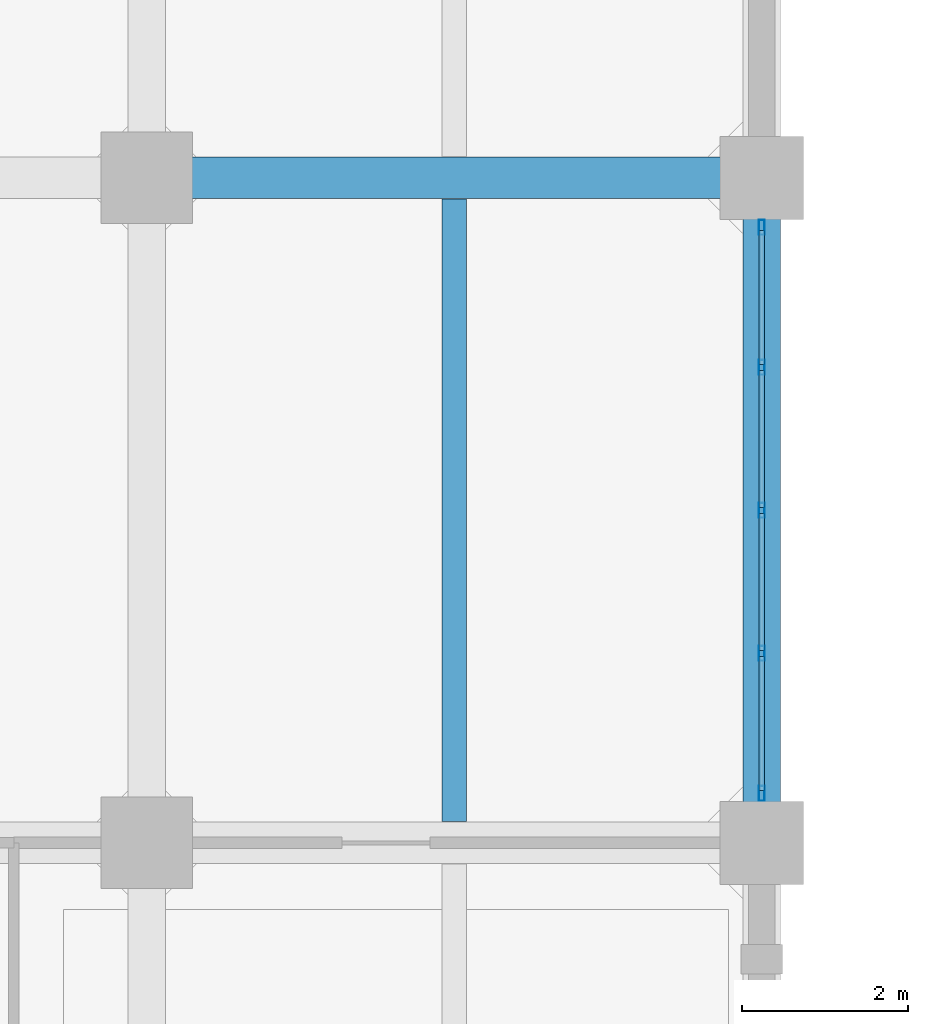
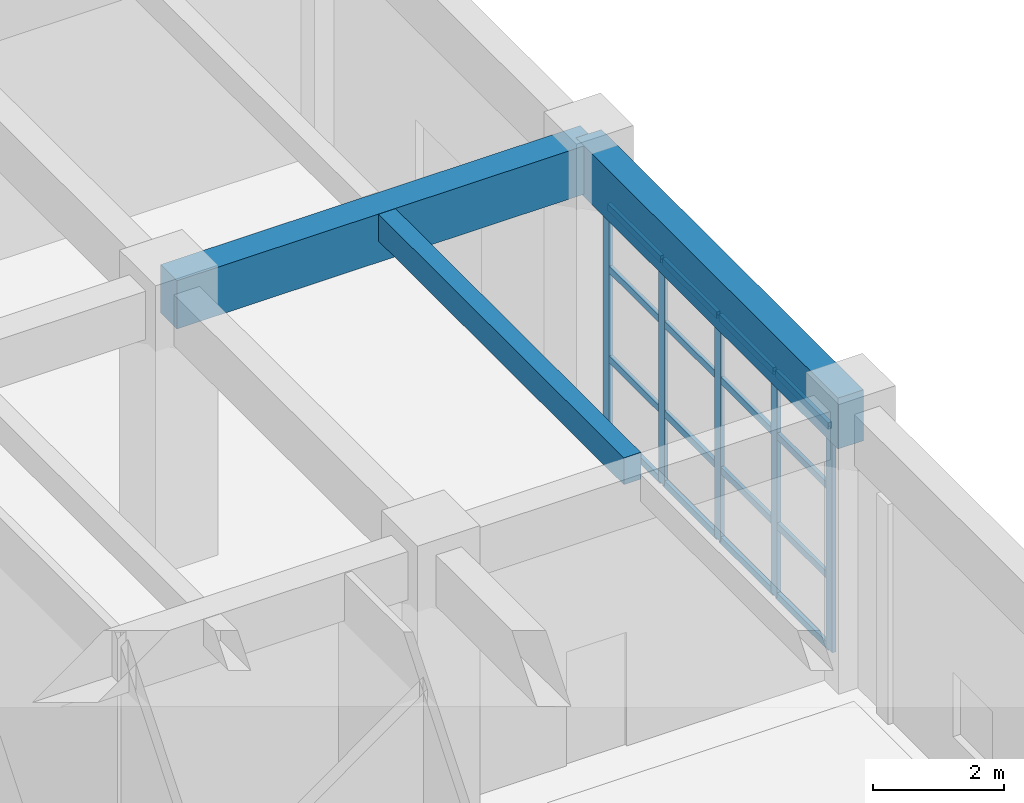
# One storey, part 56 of 90: 21 members, 3 beams, 1 element without a shape of its own.
"""IFC4 building model written with IfcOpenShell, lengths in metres."""

from ifc_helpers import new_model, si_unit, direction, frame, origin, origin_2d, place, context, subcontext, project, spatial, rectangle, hollow_rectangle, extrude, material, layer, layer_set, material_profile, profile_set, type_object, element, aggregate, save


model = new_model("IFC4")

# Units and contexts
model_context = context("Model", 3, precision=1e-05, world=origin(), true_north=direction((0.0, 1.0)))
body_context = subcontext(model_context, "Body", "Model", "MODEL_VIEW")
ifc_project = project(units=[si_unit("LENGTHUNIT", "METRE"), si_unit("AREAUNIT", "SQUARE_METRE"), si_unit("VOLUMEUNIT", "CUBIC_METRE"), si_unit("PLANEANGLEUNIT", "RADIAN"), si_unit("MASSUNIT", "GRAM", prefix="KILO")], contexts=[model_context])

# Site, building, storey
site_placement = place(None, origin())
site = spatial("IfcSite", under=ifc_project, at=site_placement, CompositionType="ELEMENT")
building_placement = place(site_placement, origin())
building = spatial("IfcBuilding", under=site, at=building_placement, Name="Canggui Botanical Conservatory", CompositionType="ELEMENT")
storey_placement = place(building_placement, origin())
storey = spatial("IfcBuildingStorey", under=building, at=storey_placement, Name="L01", CompositionType="ELEMENT", Elevation=0.0)

# Beams
ifc_material_1 = material(Name="Concrete C35", Category="concrete")
ifc_material_profile_1 = material_profile(ifc_material_1, rectangle(XDim=0.300048828125, YDim=0.5, at=origin_2d()), Name="RB 300x500")
ifc_profile_set_1 = profile_set([ifc_material_profile_1], Name="Concrete C35")
beam_type_1 = type_object("IfcBeamType", Name="BM-JST02", PredefinedType="JOIST", material=ifc_profile_set_1)
beam_1_placement = place(storey_placement, frame((173.699951171875, 58.2548828125, 4.8701171875), z_axis=(0.0, 1.0, 0.0), x_axis=(-1.0, 0.0, 0.0)))
element("IfcBeam", 1, at=beam_1_placement, inside=storey, type_object=beam_type_1, Name="Secondary Floor Joist L01-6-5", PredefinedType="JOIST", context=body_context, shape_type="SweptSolid", body=[
    extrude(rectangle(XDim=0.300048828125, YDim=0.5, at=origin_2d()), origin(), (0.0, 0.0, 1.0), 7.490234375),
])
ifc_material_profile_2 = material_profile(ifc_material_1, rectangle(XDim=0.5, YDim=0.89990234375, at=origin_2d()), Name="RB 500x900")
ifc_profile_set_2 = profile_set([ifc_material_profile_2], Name="Concrete C35")
beam_type_2 = type_object("IfcBeamType", Name="BM-KL03", PredefinedType="BEAM", material=ifc_profile_set_2)
beam_2_placement = place(storey_placement, frame((170.0, 66.0, 4.669921875), z_axis=(1.0, 0.0, 0.0), x_axis=(0.0, 1.0, 0.0)))
element("IfcBeam", 2, at=beam_2_placement, inside=storey, type_object=beam_type_2, Name="Frame Girder L01 Y66-6", PredefinedType="BEAM", context=body_context, shape_type="SweptSolid", body=[
    extrude(rectangle(XDim=0.5, YDim=0.89990234375, at=origin_2d()), origin(), (0.0, 0.0, 1.0), 7.39990234375),
])
ifc_material_profile_3 = material_profile(ifc_material_1, rectangle(XDim=0.449951171875, YDim=0.949951171875, at=origin_2d()), Name="RB 450x950")
ifc_profile_set_3 = profile_set([ifc_material_profile_3], Name="Concrete C35")
beam_type_3 = type_object("IfcBeamType", Name="BM-KL04", PredefinedType="BEAM", material=ifc_profile_set_3)
beam_3_placement = place(storey_placement, frame((177.39990234375, 58.0, 4.64501953125), z_axis=(0.0, 1.0, 0.0), x_axis=(-1.0, 0.0, 0.0)))
element("IfcBeam", 3, at=beam_3_placement, inside=storey, type_object=beam_type_3, Name="Frame Girder L01 X178-5", PredefinedType="BEAM", context=body_context, shape_type="SweptSolid", body=[
    extrude(rectangle(XDim=0.449951171875, YDim=0.949951171875, at=origin_2d()), origin(), (0.0, 0.0, 1.0), 8.0),
])

# Curtain wall, members
ifc_material_2 = material(Name="Thermally Broken Aluminium", Category="aluminium")
ifc_layer = layer(ifc_material_2, 0.179931640625, Name="Thermally Broken Aluminium", Category="aluminium")
ifc_layer_set = layer_set([ifc_layer], Name="Thermally Broken Aluminium")
curtain_wall_type = type_object("IfcCurtainWallType", Name="CW-UNIT-A", PredefinedType="USERDEFINED", material=ifc_layer_set)
curtain_wall_placement = place(storey_placement, origin())
curtain_wall = element("IfcCurtainWall", 4, at=curtain_wall_placement, inside=storey, type_object=curtain_wall_type, Name="Facade Curtain Wall CW-TWR-L01-17", ObjectType="UNITISED CURTAIN WALL", PredefinedType="USERDEFINED")
ifc_material_profile_4 = material_profile(ifc_material_2, hollow_rectangle(XDim=0.070068359375, YDim=0.179931640625, WallThickness=0.00390625, at=origin_2d()), Name="CWM 70x180x4")
ifc_profile_set_4 = profile_set([ifc_material_profile_4], Name="Thermally Broken Aluminium")
member_type_1 = type_object("IfcMemberType", Name="CWM-01", PredefinedType="MULLION", material=ifc_profile_set_4)
member_1_placement = place(storey_placement, frame((177.39990234375, 65.405029296875, 0.0), z_axis=(0.0, 0.0, 1.0), x_axis=(1.0, 0.0, 0.0)))
member_1 = element("IfcMember", 5, at=member_1_placement, type_object=member_type_1, Name="CW-01 mullion 1", PredefinedType="MULLION", context=body_context, shape_type="SweptSolid", body=[
    extrude(hollow_rectangle(XDim=0.070068359375, YDim=0.179931640625, WallThickness=0.00390625, at=origin_2d()), origin(), (0.0, 0.0, 1.0), 4.179931640625),
])
member_2_placement = place(storey_placement, frame((177.39990234375, 63.719970703125, 0.0), z_axis=(0.0, 0.0, 1.0), x_axis=(1.0, 0.0, 0.0)))
member_2 = element("IfcMember", 6, at=member_2_placement, type_object=member_type_1, Name="CW-01 mullion 2", PredefinedType="MULLION", context=body_context, shape_type="SweptSolid", body=[
    extrude(hollow_rectangle(XDim=0.070068359375, YDim=0.179931640625, WallThickness=0.00390625, at=origin_2d()), origin(), (0.0, 0.0, 1.0), 4.179931640625),
])
member_3_placement = place(storey_placement, frame((177.39990234375, 62.0, 0.0), z_axis=(0.0, 0.0, 1.0), x_axis=(1.0, 0.0, 0.0)))
member_3 = element("IfcMember", 7, at=member_3_placement, type_object=member_type_1, Name="CW-01 mullion 3", PredefinedType="MULLION", context=body_context, shape_type="SweptSolid", body=[
    extrude(hollow_rectangle(XDim=0.070068359375, YDim=0.179931640625, WallThickness=0.00390625, at=origin_2d()), origin(), (0.0, 0.0, 1.0), 4.179931640625),
])
member_4_placement = place(storey_placement, frame((177.39990234375, 60.280029296875, 0.0), z_axis=(0.0, 0.0, 1.0), x_axis=(1.0, 0.0, 0.0)))
member_4 = element("IfcMember", 8, at=member_4_placement, type_object=member_type_1, Name="CW-01 mullion 4", PredefinedType="MULLION", context=body_context, shape_type="SweptSolid", body=[
    extrude(hollow_rectangle(XDim=0.070068359375, YDim=0.179931640625, WallThickness=0.00390625, at=origin_2d()), origin(), (0.0, 0.0, 1.0), 4.179931640625),
])
member_5_placement = place(storey_placement, frame((177.39990234375, 58.594970703125, 0.0), z_axis=(0.0, 0.0, 1.0), x_axis=(1.0, 0.0, 0.0)))
member_5 = element("IfcMember", 9, at=member_5_placement, type_object=member_type_1, Name="CW-01 mullion 5", PredefinedType="MULLION", context=body_context, shape_type="SweptSolid", body=[
    extrude(hollow_rectangle(XDim=0.070068359375, YDim=0.179931640625, WallThickness=0.00390625, at=origin_2d()), origin(), (0.0, 0.0, 1.0), 4.179931640625),
])
ifc_material_profile_5 = material_profile(ifc_material_2, hollow_rectangle(XDim=0.06494140625, YDim=0.1298828125, WallThickness=0.00341796875, at=origin_2d()), Name="CWT 65x130x3.5")
ifc_profile_set_5 = profile_set([ifc_material_profile_5], Name="Thermally Broken Aluminium")
member_type_2 = type_object("IfcMemberType", Name="CWT-01", PredefinedType="USERDEFINED", material=ifc_profile_set_5)
member_6_placement = place(storey_placement, frame((177.39990234375, 65.3701171875, 0.032470703125), z_axis=(0.0, -1.0, 0.0), x_axis=(1.0, 0.0, 0.0)))
member_6 = element("IfcMember", 10, at=member_6_placement, type_object=member_type_2, Name="CW-01 transom 1.1", ObjectType="TRANSOM", PredefinedType="USERDEFINED", context=body_context, shape_type="SweptSolid", body=[
    extrude(hollow_rectangle(XDim=0.06494140625, YDim=0.1298828125, WallThickness=0.00341796875, at=origin_2d()), origin(), (0.0, 0.0, 1.0), 1.615234375),
])
member_7_placement = place(storey_placement, frame((177.39990234375, 65.3701171875, 1.337646484375), z_axis=(0.0, -1.0, 0.0), x_axis=(1.0, 0.0, 0.0)))
member_7 = element("IfcMember", 11, at=member_7_placement, type_object=member_type_2, Name="CW-01 transom 1.2", ObjectType="TRANSOM", PredefinedType="USERDEFINED", context=body_context, shape_type="SweptSolid", body=[
    extrude(hollow_rectangle(XDim=0.06494140625, YDim=0.1298828125, WallThickness=0.00341796875, at=origin_2d()), origin(), (0.0, 0.0, 1.0), 1.615234375),
])
member_8_placement = place(storey_placement, frame((177.39990234375, 65.3701171875, 3.009521484375), z_axis=(0.0, -1.0, 0.0), x_axis=(1.0, 0.0, 0.0)))
member_8 = element("IfcMember", 12, at=member_8_placement, type_object=member_type_2, Name="CW-01 transom 1.3", ObjectType="TRANSOM", PredefinedType="USERDEFINED", context=body_context, shape_type="SweptSolid", body=[
    extrude(hollow_rectangle(XDim=0.06494140625, YDim=0.1298828125, WallThickness=0.00341796875, at=origin_2d()), origin(), (0.0, 0.0, 1.0), 1.615234375),
])
member_9_placement = place(storey_placement, frame((177.39990234375, 65.3701171875, 4.1474609375), z_axis=(0.0, -1.0, 0.0), x_axis=(1.0, 0.0, 0.0)))
member_9 = element("IfcMember", 13, at=member_9_placement, type_object=member_type_2, Name="CW-01 transom 1.4", ObjectType="TRANSOM", PredefinedType="USERDEFINED", context=body_context, shape_type="SweptSolid", body=[
    extrude(hollow_rectangle(XDim=0.06494140625, YDim=0.1298828125, WallThickness=0.00341796875, at=origin_2d()), origin(), (0.0, 0.0, 1.0), 1.615234375),
])
member_10_placement = place(storey_placement, frame((177.39990234375, 63.68505859375, 0.032470703125), z_axis=(0.0, -1.0, 0.0), x_axis=(1.0, 0.0, 0.0)))
member_10 = element("IfcMember", 14, at=member_10_placement, type_object=member_type_2, Name="CW-01 transom 2.1", ObjectType="TRANSOM", PredefinedType="USERDEFINED", context=body_context, shape_type="SweptSolid", body=[
    extrude(hollow_rectangle(XDim=0.06494140625, YDim=0.1298828125, WallThickness=0.00341796875, at=origin_2d()), origin(), (0.0, 0.0, 1.0), 1.650146484375),
])
member_11_placement = place(storey_placement, frame((177.39990234375, 63.68505859375, 1.337646484375), z_axis=(0.0, -1.0, 0.0), x_axis=(1.0, 0.0, 0.0)))
member_11 = element("IfcMember", 15, at=member_11_placement, type_object=member_type_2, Name="CW-01 transom 2.2", ObjectType="TRANSOM", PredefinedType="USERDEFINED", context=body_context, shape_type="SweptSolid", body=[
    extrude(hollow_rectangle(XDim=0.06494140625, YDim=0.1298828125, WallThickness=0.00341796875, at=origin_2d()), origin(), (0.0, 0.0, 1.0), 1.650146484375),
])
member_12_placement = place(storey_placement, frame((177.39990234375, 63.68505859375, 3.009521484375), z_axis=(0.0, -1.0, 0.0), x_axis=(1.0, 0.0, 0.0)))
member_12 = element("IfcMember", 16, at=member_12_placement, type_object=member_type_2, Name="CW-01 transom 2.3", ObjectType="TRANSOM", PredefinedType="USERDEFINED", context=body_context, shape_type="SweptSolid", body=[
    extrude(hollow_rectangle(XDim=0.06494140625, YDim=0.1298828125, WallThickness=0.00341796875, at=origin_2d()), origin(), (0.0, 0.0, 1.0), 1.650146484375),
])
member_13_placement = place(storey_placement, frame((177.39990234375, 63.68505859375, 4.1474609375), z_axis=(0.0, -1.0, 0.0), x_axis=(1.0, 0.0, 0.0)))
member_13 = element("IfcMember", 17, at=member_13_placement, type_object=member_type_2, Name="CW-01 transom 2.4", ObjectType="TRANSOM", PredefinedType="USERDEFINED", context=body_context, shape_type="SweptSolid", body=[
    extrude(hollow_rectangle(XDim=0.06494140625, YDim=0.1298828125, WallThickness=0.00341796875, at=origin_2d()), origin(), (0.0, 0.0, 1.0), 1.650146484375),
])
member_14_placement = place(storey_placement, frame((177.39990234375, 61.965087890625, 0.032470703125), z_axis=(0.0, -1.0, 0.0), x_axis=(1.0, 0.0, 0.0)))
member_14 = element("IfcMember", 18, at=member_14_placement, type_object=member_type_2, Name="CW-01 transom 3.1", ObjectType="TRANSOM", PredefinedType="USERDEFINED", context=body_context, shape_type="SweptSolid", body=[
    extrude(hollow_rectangle(XDim=0.06494140625, YDim=0.1298828125, WallThickness=0.00341796875, at=origin_2d()), origin(), (0.0, 0.0, 1.0), 1.650146484375),
])
member_15_placement = place(storey_placement, frame((177.39990234375, 61.965087890625, 1.337646484375), z_axis=(0.0, -1.0, 0.0), x_axis=(1.0, 0.0, 0.0)))
member_15 = element("IfcMember", 19, at=member_15_placement, type_object=member_type_2, Name="CW-01 transom 3.2", ObjectType="TRANSOM", PredefinedType="USERDEFINED", context=body_context, shape_type="SweptSolid", body=[
    extrude(hollow_rectangle(XDim=0.06494140625, YDim=0.1298828125, WallThickness=0.00341796875, at=origin_2d()), origin(), (0.0, 0.0, 1.0), 1.650146484375),
])
member_16_placement = place(storey_placement, frame((177.39990234375, 61.965087890625, 3.009521484375), z_axis=(0.0, -1.0, 0.0), x_axis=(1.0, 0.0, 0.0)))
member_16 = element("IfcMember", 20, at=member_16_placement, type_object=member_type_2, Name="CW-01 transom 3.3", ObjectType="TRANSOM", PredefinedType="USERDEFINED", context=body_context, shape_type="SweptSolid", body=[
    extrude(hollow_rectangle(XDim=0.06494140625, YDim=0.1298828125, WallThickness=0.00341796875, at=origin_2d()), origin(), (0.0, 0.0, 1.0), 1.650146484375),
])
member_17_placement = place(storey_placement, frame((177.39990234375, 61.965087890625, 4.1474609375), z_axis=(0.0, -1.0, 0.0), x_axis=(1.0, 0.0, 0.0)))
member_17 = element("IfcMember", 21, at=member_17_placement, type_object=member_type_2, Name="CW-01 transom 3.4", ObjectType="TRANSOM", PredefinedType="USERDEFINED", context=body_context, shape_type="SweptSolid", body=[
    extrude(hollow_rectangle(XDim=0.06494140625, YDim=0.1298828125, WallThickness=0.00341796875, at=origin_2d()), origin(), (0.0, 0.0, 1.0), 1.650146484375),
])
member_18_placement = place(storey_placement, frame((177.39990234375, 60.2451171875, 0.032470703125), z_axis=(0.0, -1.0, 0.0), x_axis=(1.0, 0.0, 0.0)))
member_18 = element("IfcMember", 22, at=member_18_placement, type_object=member_type_2, Name="CW-01 transom 4.1", ObjectType="TRANSOM", PredefinedType="USERDEFINED", context=body_context, shape_type="SweptSolid", body=[
    extrude(hollow_rectangle(XDim=0.06494140625, YDim=0.1298828125, WallThickness=0.00341796875, at=origin_2d()), origin(), (0.0, 0.0, 1.0), 1.615234375),
])
member_19_placement = place(storey_placement, frame((177.39990234375, 60.2451171875, 1.337646484375), z_axis=(0.0, -1.0, 0.0), x_axis=(1.0, 0.0, 0.0)))
member_19 = element("IfcMember", 23, at=member_19_placement, type_object=member_type_2, Name="CW-01 transom 4.2", ObjectType="TRANSOM", PredefinedType="USERDEFINED", context=body_context, shape_type="SweptSolid", body=[
    extrude(hollow_rectangle(XDim=0.06494140625, YDim=0.1298828125, WallThickness=0.00341796875, at=origin_2d()), origin(), (0.0, 0.0, 1.0), 1.615234375),
])
member_20_placement = place(storey_placement, frame((177.39990234375, 60.2451171875, 3.009521484375), z_axis=(0.0, -1.0, 0.0), x_axis=(1.0, 0.0, 0.0)))
member_20 = element("IfcMember", 24, at=member_20_placement, type_object=member_type_2, Name="CW-01 transom 4.3", ObjectType="TRANSOM", PredefinedType="USERDEFINED", context=body_context, shape_type="SweptSolid", body=[
    extrude(hollow_rectangle(XDim=0.06494140625, YDim=0.1298828125, WallThickness=0.00341796875, at=origin_2d()), origin(), (0.0, 0.0, 1.0), 1.615234375),
])
member_21_placement = place(storey_placement, frame((177.39990234375, 60.2451171875, 4.1474609375), z_axis=(0.0, -1.0, 0.0), x_axis=(1.0, 0.0, 0.0)))
member_21 = element("IfcMember", 25, at=member_21_placement, type_object=member_type_2, Name="CW-01 transom 4.4", ObjectType="TRANSOM", PredefinedType="USERDEFINED", context=body_context, shape_type="SweptSolid", body=[
    extrude(hollow_rectangle(XDim=0.06494140625, YDim=0.1298828125, WallThickness=0.00341796875, at=origin_2d()), origin(), (0.0, 0.0, 1.0), 1.615234375),
])
aggregate(curtain_wall, [member_1, member_2, member_3, member_4, member_5, member_6, member_7, member_8, member_9, member_10, member_11, member_12, member_13, member_14, member_15, member_16, member_17, member_18, member_19, member_20, member_21])

save(model, "model.ifc")
